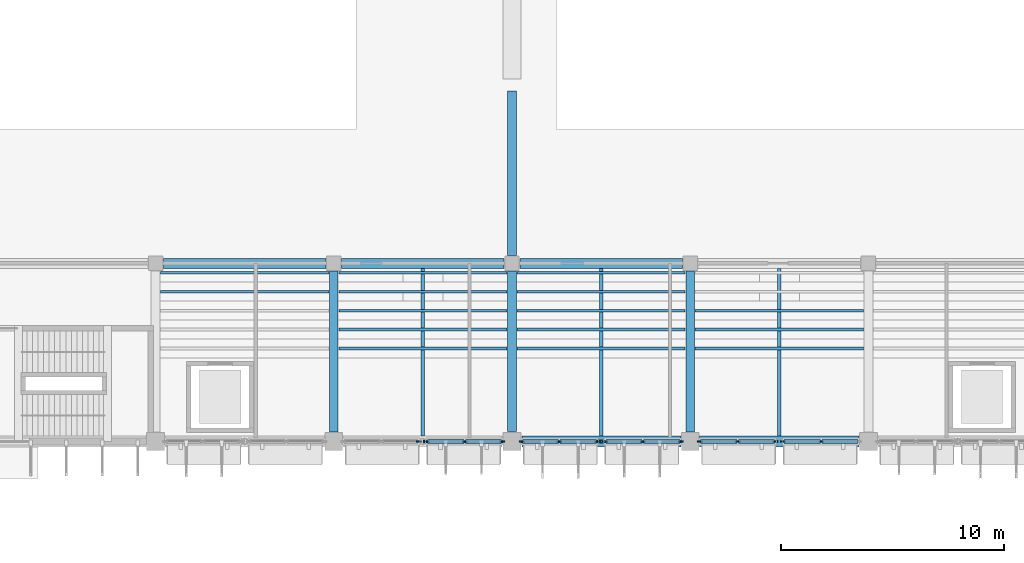
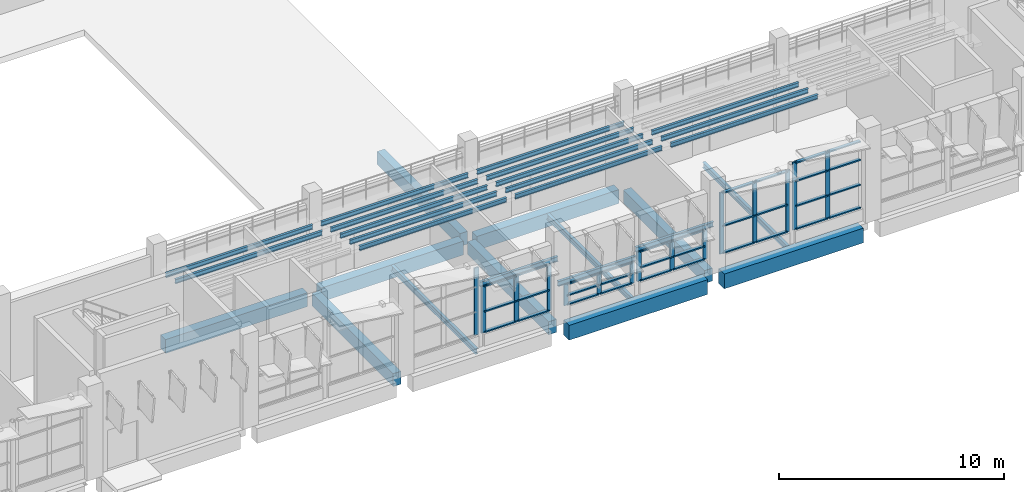
# One storey, part 14 of 103: 47 members, 30 beams, 6 elements without a shape of their own.
"""IFC4 building model written with IfcOpenShell, lengths in metres."""

from ifc_helpers import new_model, si_unit, direction, frame, origin, origin_2d, place, context, subcontext, project, spatial, rectangle, i_section, extrude, material, layer, layer_set, material_profile, profile_set, type_object, element, aggregate, save


model = new_model("IFC4")

# Units and contexts
model_context = context("Model", 3, precision=1e-05, world=origin(), true_north=direction((0.0, 1.0)))
body_context = subcontext(model_context, "Body", "Model", "MODEL_VIEW")
ifc_project = project(units=[si_unit("LENGTHUNIT", "METRE"), si_unit("AREAUNIT", "SQUARE_METRE"), si_unit("VOLUMEUNIT", "CUBIC_METRE"), si_unit("PLANEANGLEUNIT", "RADIAN"), si_unit("MASSUNIT", "GRAM", prefix="KILO")], contexts=[model_context])

# Site, building, storey
site_placement = place(None, origin())
site = spatial("IfcSite", under=ifc_project, at=site_placement, CompositionType="ELEMENT")
building_placement = place(site_placement, origin())
building = spatial("IfcBuilding", under=site, at=building_placement, Name="Drelvana Railside Aquatics Centre", CompositionType="ELEMENT")
storey_placement = place(building_placement, origin())
storey = spatial("IfcBuildingStorey", under=building, at=storey_placement, Name="L00", CompositionType="ELEMENT", Elevation=0.0)

# Curtain wall, member
ifc_material_1 = material(Name="Bronze-anodised aluminium curtain wall", Category="aluminium")
ifc_layer = layer(ifc_material_1, 0.199951171875, Name="Bronze-anodised aluminium curtain wall")
ifc_layer_set = layer_set([ifc_layer], Name="Bronze-anodised aluminium curtain wall")
curtain_wall_type = type_object("IfcCurtainWallType", Name="CW-Z1-SINE", PredefinedType="NOTDEFINED", material=ifc_layer_set)
curtain_wall_1_placement = place(storey_placement, origin())
curtain_wall_1 = element("IfcCurtainWall", 1, at=curtain_wall_1_placement, inside=storey, type_object=curtain_wall_type, Name="Curtain wall CW-01-005", PredefinedType="NOTDEFINED")
ifc_material_2 = material(Name="Bronze-anodised aluminium 6063-T6", Category="aluminium")
ifc_material_profile_1 = material_profile(ifc_material_2, rectangle(XDim=0.074951171875, YDim=0.22509765625, at=origin_2d()), Name="ALU-M 75x225")
ifc_profile_set_1 = profile_set([ifc_material_profile_1], Name="Bronze-anodised aluminium 6063-T6")
member_type_1 = type_object("IfcMemberType", Name="CW-Z1-SINE-MUL", PredefinedType="MULLION", material=ifc_profile_set_1)
member_1_placement = place(storey_placement, frame((43.822509765625, 16.0, 0.64404296875), z_axis=(0.0, 0.0, 1.0), x_axis=(0.0, 1.0, 0.0)))
member_1 = element("IfcMember", 2, at=member_1_placement, type_object=member_type_1, Name="CW-01 mullion 3", PredefinedType="MULLION", context=body_context, shape_type="SweptSolid", body=[
    extrude(rectangle(XDim=0.074951171875, YDim=0.22509765625, at=origin_2d()), origin(), (0.0, 0.0, 1.0), 3.660888671875),
])
aggregate(curtain_wall_1, [member_1])

# Curtain wall, members
curtain_wall_2_placement = place(storey_placement, origin())
curtain_wall_2 = element("IfcCurtainWall", 3, at=curtain_wall_2_placement, inside=storey, type_object=curtain_wall_type, Name="Curtain wall CW-01-006", PredefinedType="NOTDEFINED")
member_2_placement = place(storey_placement, frame((44.177490234375, 16.0, 0.64404296875), z_axis=(0.0, 0.0, 1.0), x_axis=(0.0, 1.0, 0.0)))
member_2 = element("IfcMember", 4, at=member_2_placement, type_object=member_type_1, Name="CW-01 mullion 1", PredefinedType="MULLION", context=body_context, shape_type="SweptSolid", body=[
    extrude(rectangle(XDim=0.074951171875, YDim=0.22509765625, at=origin_2d()), origin(), (0.0, 0.0, 1.0), 2.557861328125),
])
member_3_placement = place(storey_placement, frame((45.873046875, 16.0, 0.64404296875), z_axis=(0.0, 0.0, 1.0), x_axis=(0.0, 1.0, 0.0)))
member_3 = element("IfcMember", 5, at=member_3_placement, type_object=member_type_1, Name="CW-01 mullion 2", PredefinedType="MULLION", context=body_context, shape_type="SweptSolid", body=[
    extrude(rectangle(XDim=0.074951171875, YDim=0.22509765625, at=origin_2d()), origin(), (0.0, 0.0, 1.0), 2.557861328125),
])
member_4_placement = place(storey_placement, frame((47.568603515625, 16.0, 0.64404296875), z_axis=(0.0, 0.0, 1.0), x_axis=(0.0, 1.0, 0.0)))
member_4 = element("IfcMember", 6, at=member_4_placement, type_object=member_type_1, Name="CW-01 mullion 3", PredefinedType="MULLION", context=body_context, shape_type="SweptSolid", body=[
    extrude(rectangle(XDim=0.074951171875, YDim=0.22509765625, at=origin_2d()), origin(), (0.0, 0.0, 1.0), 2.557861328125),
])

curtain_wall_3_placement = place(storey_placement, origin())
curtain_wall_3 = element("IfcCurtainWall", 7, at=curtain_wall_3_placement, inside=storey, type_object=curtain_wall_type, Name="Curtain wall CW-01-007", PredefinedType="NOTDEFINED")
member_5_placement = place(storey_placement, frame((48.431396484375, 16.0, 0.64404296875), z_axis=(0.0, 0.0, 1.0), x_axis=(0.0, 1.0, 0.0)))
member_5 = element("IfcMember", 8, at=member_5_placement, type_object=member_type_1, Name="CW-01 mullion 1", PredefinedType="MULLION", context=body_context, shape_type="SweptSolid", body=[
    extrude(rectangle(XDim=0.074951171875, YDim=0.22509765625, at=origin_2d()), origin(), (0.0, 0.0, 1.0), 1.181884765625),
])
member_6_placement = place(storey_placement, frame((50.126953125, 16.0, 0.64404296875), z_axis=(0.0, 0.0, 1.0), x_axis=(0.0, 1.0, 0.0)))
member_6 = element("IfcMember", 9, at=member_6_placement, type_object=member_type_1, Name="CW-01 mullion 2", PredefinedType="MULLION", context=body_context, shape_type="SweptSolid", body=[
    extrude(rectangle(XDim=0.074951171875, YDim=0.22509765625, at=origin_2d()), origin(), (0.0, 0.0, 1.0), 1.181884765625),
])
member_7_placement = place(storey_placement, frame((51.822509765625, 16.0, 0.64404296875), z_axis=(0.0, 0.0, 1.0), x_axis=(0.0, 1.0, 0.0)))
member_7 = element("IfcMember", 10, at=member_7_placement, type_object=member_type_1, Name="CW-01 mullion 3", PredefinedType="MULLION", context=body_context, shape_type="SweptSolid", body=[
    extrude(rectangle(XDim=0.074951171875, YDim=0.22509765625, at=origin_2d()), origin(), (0.0, 0.0, 1.0), 1.181884765625),
])

curtain_wall_4_placement = place(storey_placement, origin())
curtain_wall_4 = element("IfcCurtainWall", 11, at=curtain_wall_4_placement, inside=storey, type_object=curtain_wall_type, Name="Curtain wall CW-01-008", PredefinedType="NOTDEFINED")
member_8_placement = place(storey_placement, frame((52.177490234375, 16.0, 0.64404296875), z_axis=(0.0, 0.0, 1.0), x_axis=(0.0, 1.0, 0.0)))
member_8 = element("IfcMember", 12, at=member_8_placement, type_object=member_type_1, Name="CW-01 mullion 1", PredefinedType="MULLION", context=body_context, shape_type="SweptSolid", body=[
    extrude(rectangle(XDim=0.074951171875, YDim=0.22509765625, at=origin_2d()), origin(), (0.0, 0.0, 1.0), 1.635009765625),
])
member_9_placement = place(storey_placement, frame((53.873046875, 16.0, 0.64404296875), z_axis=(0.0, 0.0, 1.0), x_axis=(0.0, 1.0, 0.0)))
member_9 = element("IfcMember", 13, at=member_9_placement, type_object=member_type_1, Name="CW-01 mullion 2", PredefinedType="MULLION", context=body_context, shape_type="SweptSolid", body=[
    extrude(rectangle(XDim=0.074951171875, YDim=0.22509765625, at=origin_2d()), origin(), (0.0, 0.0, 1.0), 1.635009765625),
])
member_10_placement = place(storey_placement, frame((55.568603515625, 16.0, 0.64404296875), z_axis=(0.0, 0.0, 1.0), x_axis=(0.0, 1.0, 0.0)))
member_10 = element("IfcMember", 14, at=member_10_placement, type_object=member_type_1, Name="CW-01 mullion 3", PredefinedType="MULLION", context=body_context, shape_type="SweptSolid", body=[
    extrude(rectangle(XDim=0.074951171875, YDim=0.22509765625, at=origin_2d()), origin(), (0.0, 0.0, 1.0), 1.635009765625),
])

curtain_wall_5_placement = place(storey_placement, origin())
curtain_wall_5 = element("IfcCurtainWall", 15, at=curtain_wall_5_placement, inside=storey, type_object=curtain_wall_type, Name="Curtain wall CW-01-009", PredefinedType="NOTDEFINED")
member_11_placement = place(storey_placement, frame((56.431396484375, 16.0, 0.64404296875), z_axis=(0.0, 0.0, 1.0), x_axis=(0.0, 1.0, 0.0)))
member_11 = element("IfcMember", 16, at=member_11_placement, type_object=member_type_1, Name="CW-01 mullion 1", PredefinedType="MULLION", context=body_context, shape_type="SweptSolid", body=[
    extrude(rectangle(XDim=0.074951171875, YDim=0.22509765625, at=origin_2d()), origin(), (0.0, 0.0, 1.0), 3.3369140625),
])
member_12_placement = place(storey_placement, frame((58.126953125, 16.0, 0.64404296875), z_axis=(0.0, 0.0, 1.0), x_axis=(0.0, 1.0, 0.0)))
member_12 = element("IfcMember", 17, at=member_12_placement, type_object=member_type_1, Name="CW-01 mullion 2", PredefinedType="MULLION", context=body_context, shape_type="SweptSolid", body=[
    extrude(rectangle(XDim=0.074951171875, YDim=0.22509765625, at=origin_2d()), origin(), (0.0, 0.0, 1.0), 3.3369140625),
])
member_13_placement = place(storey_placement, frame((59.822509765625, 16.0, 0.64404296875), z_axis=(0.0, 0.0, 1.0), x_axis=(0.0, 1.0, 0.0)))
member_13 = element("IfcMember", 18, at=member_13_placement, type_object=member_type_1, Name="CW-01 mullion 3", PredefinedType="MULLION", context=body_context, shape_type="SweptSolid", body=[
    extrude(rectangle(XDim=0.074951171875, YDim=0.22509765625, at=origin_2d()), origin(), (0.0, 0.0, 1.0), 3.3369140625),
])

curtain_wall_6_placement = place(storey_placement, origin())
curtain_wall_6 = element("IfcCurtainWall", 19, at=curtain_wall_6_placement, inside=storey, type_object=curtain_wall_type, Name="Curtain wall CW-01-010", PredefinedType="NOTDEFINED")
member_14_placement = place(storey_placement, frame((60.177490234375, 16.0, 0.64404296875), z_axis=(0.0, 0.0, 1.0), x_axis=(0.0, 1.0, 0.0)))
member_14 = element("IfcMember", 20, at=member_14_placement, type_object=member_type_1, Name="CW-01 mullion 1", PredefinedType="MULLION", context=body_context, shape_type="SweptSolid", body=[
    extrude(rectangle(XDim=0.074951171875, YDim=0.22509765625, at=origin_2d()), origin(), (0.0, 0.0, 1.0), 3.660888671875),
])
member_15_placement = place(storey_placement, frame((61.873046875, 16.0, 0.64404296875), z_axis=(0.0, 0.0, 1.0), x_axis=(0.0, 1.0, 0.0)))
member_15 = element("IfcMember", 21, at=member_15_placement, type_object=member_type_1, Name="CW-01 mullion 2", PredefinedType="MULLION", context=body_context, shape_type="SweptSolid", body=[
    extrude(rectangle(XDim=0.074951171875, YDim=0.22509765625, at=origin_2d()), origin(), (0.0, 0.0, 1.0), 3.660888671875),
])

# Member
ifc_material_profile_2 = material_profile(ifc_material_2, rectangle(XDim=0.159912109375, YDim=0.070068359375, at=origin_2d()), Name="ALU-T 70x160")
ifc_profile_set_2 = profile_set([ifc_material_profile_2], Name="Bronze-anodised aluminium 6063-T6")
member_type_2 = type_object("IfcMemberType", Name="CW-Z1-SINE-TRN", PredefinedType="USERDEFINED", material=ifc_profile_set_2)
member_16_placement = place(storey_placement, frame((44.2099609375, 16.0, 0.678955078125), z_axis=(1.0, 0.0, 0.0), x_axis=(0.0, 1.0, 0.0)))
member_16 = element("IfcMember", 22, at=member_16_placement, type_object=member_type_2, Name="CW-01 transom 1.1", ObjectType="TRANSOM", PredefinedType="USERDEFINED", context=body_context, shape_type="SweptSolid", body=[
    extrude(rectangle(XDim=0.159912109375, YDim=0.070068359375, at=origin_2d()), origin(), (0.0, 0.0, 1.0), 1.630615234375),
])

member_17_placement = place(storey_placement, frame((44.2099609375, 16.0, 1.794921875), z_axis=(1.0, 0.0, 0.0), x_axis=(0.0, 1.0, 0.0)))
member_17 = element("IfcMember", 23, at=member_17_placement, type_object=member_type_2, Name="CW-01 transom 1.2", ObjectType="TRANSOM", PredefinedType="USERDEFINED", context=body_context, shape_type="SweptSolid", body=[
    extrude(rectangle(XDim=0.159912109375, YDim=0.070068359375, at=origin_2d()), origin(), (0.0, 0.0, 1.0), 1.630615234375),
])

member_18_placement = place(storey_placement, frame((44.2099609375, 16.0, 3.1669921875), z_axis=(1.0, 0.0, 0.0), x_axis=(0.0, 1.0, 0.0)))
member_18 = element("IfcMember", 24, at=member_18_placement, type_object=member_type_2, Name="CW-01 transom 1.3", ObjectType="TRANSOM", PredefinedType="USERDEFINED", context=body_context, shape_type="SweptSolid", body=[
    extrude(rectangle(XDim=0.159912109375, YDim=0.070068359375, at=origin_2d()), origin(), (0.0, 0.0, 1.0), 1.630615234375),
])

member_19_placement = place(storey_placement, frame((45.905517578125, 16.0, 0.678955078125), z_axis=(1.0, 0.0, 0.0), x_axis=(0.0, 1.0, 0.0)))
member_19 = element("IfcMember", 25, at=member_19_placement, type_object=member_type_2, Name="CW-01 transom 2.1", ObjectType="TRANSOM", PredefinedType="USERDEFINED", context=body_context, shape_type="SweptSolid", body=[
    extrude(rectangle(XDim=0.159912109375, YDim=0.070068359375, at=origin_2d()), origin(), (0.0, 0.0, 1.0), 1.63037109375),
])

member_20_placement = place(storey_placement, frame((45.905517578125, 16.0, 1.794921875), z_axis=(1.0, 0.0, 0.0), x_axis=(0.0, 1.0, 0.0)))
member_20 = element("IfcMember", 26, at=member_20_placement, type_object=member_type_2, Name="CW-01 transom 2.2", ObjectType="TRANSOM", PredefinedType="USERDEFINED", context=body_context, shape_type="SweptSolid", body=[
    extrude(rectangle(XDim=0.159912109375, YDim=0.070068359375, at=origin_2d()), origin(), (0.0, 0.0, 1.0), 1.63037109375),
])

member_21_placement = place(storey_placement, frame((45.905517578125, 16.0, 3.1669921875), z_axis=(1.0, 0.0, 0.0), x_axis=(0.0, 1.0, 0.0)))
member_21 = element("IfcMember", 27, at=member_21_placement, type_object=member_type_2, Name="CW-01 transom 2.3", ObjectType="TRANSOM", PredefinedType="USERDEFINED", context=body_context, shape_type="SweptSolid", body=[
    extrude(rectangle(XDim=0.159912109375, YDim=0.070068359375, at=origin_2d()), origin(), (0.0, 0.0, 1.0), 1.63037109375),
])

aggregate(curtain_wall_2, [member_2, member_3, member_4, member_16, member_17, member_18, member_19, member_20, member_21])

member_22_placement = place(storey_placement, frame((48.464111328125, 16.0, 0.678955078125), z_axis=(1.0, 0.0, 0.0), x_axis=(0.0, 1.0, 0.0)))
member_22 = element("IfcMember", 28, at=member_22_placement, type_object=member_type_2, Name="CW-01 transom 1.1", ObjectType="TRANSOM", PredefinedType="USERDEFINED", context=body_context, shape_type="SweptSolid", body=[
    extrude(rectangle(XDim=0.159912109375, YDim=0.070068359375, at=origin_2d()), origin(), (0.0, 0.0, 1.0), 1.63037109375),
])

member_23_placement = place(storey_placement, frame((48.464111328125, 16.0, 1.176025390625), z_axis=(1.0, 0.0, 0.0), x_axis=(0.0, 1.0, 0.0)))
member_23 = element("IfcMember", 29, at=member_23_placement, type_object=member_type_2, Name="CW-01 transom 1.2", ObjectType="TRANSOM", PredefinedType="USERDEFINED", context=body_context, shape_type="SweptSolid", body=[
    extrude(rectangle(XDim=0.159912109375, YDim=0.070068359375, at=origin_2d()), origin(), (0.0, 0.0, 1.0), 1.63037109375),
])

member_24_placement = place(storey_placement, frame((48.464111328125, 16.0, 1.791015625), z_axis=(1.0, 0.0, 0.0), x_axis=(0.0, 1.0, 0.0)))
member_24 = element("IfcMember", 30, at=member_24_placement, type_object=member_type_2, Name="CW-01 transom 1.3", ObjectType="TRANSOM", PredefinedType="USERDEFINED", context=body_context, shape_type="SweptSolid", body=[
    extrude(rectangle(XDim=0.159912109375, YDim=0.070068359375, at=origin_2d()), origin(), (0.0, 0.0, 1.0), 1.63037109375),
])

member_25_placement = place(storey_placement, frame((50.159423828125, 16.0, 0.678955078125), z_axis=(1.0, 0.0, 0.0), x_axis=(0.0, 1.0, 0.0)))
member_25 = element("IfcMember", 31, at=member_25_placement, type_object=member_type_2, Name="CW-01 transom 2.1", ObjectType="TRANSOM", PredefinedType="USERDEFINED", context=body_context, shape_type="SweptSolid", body=[
    extrude(rectangle(XDim=0.159912109375, YDim=0.070068359375, at=origin_2d()), origin(), (0.0, 0.0, 1.0), 1.630615234375),
])

member_26_placement = place(storey_placement, frame((50.159423828125, 16.0, 1.176025390625), z_axis=(1.0, 0.0, 0.0), x_axis=(0.0, 1.0, 0.0)))
member_26 = element("IfcMember", 32, at=member_26_placement, type_object=member_type_2, Name="CW-01 transom 2.2", ObjectType="TRANSOM", PredefinedType="USERDEFINED", context=body_context, shape_type="SweptSolid", body=[
    extrude(rectangle(XDim=0.159912109375, YDim=0.070068359375, at=origin_2d()), origin(), (0.0, 0.0, 1.0), 1.630615234375),
])

member_27_placement = place(storey_placement, frame((50.159423828125, 16.0, 1.791015625), z_axis=(1.0, 0.0, 0.0), x_axis=(0.0, 1.0, 0.0)))
member_27 = element("IfcMember", 33, at=member_27_placement, type_object=member_type_2, Name="CW-01 transom 2.3", ObjectType="TRANSOM", PredefinedType="USERDEFINED", context=body_context, shape_type="SweptSolid", body=[
    extrude(rectangle(XDim=0.159912109375, YDim=0.070068359375, at=origin_2d()), origin(), (0.0, 0.0, 1.0), 1.630615234375),
])

aggregate(curtain_wall_3, [member_5, member_6, member_7, member_22, member_23, member_24, member_25, member_26, member_27])

member_28_placement = place(storey_placement, frame((52.2099609375, 16.0, 0.678955078125), z_axis=(1.0, 0.0, 0.0), x_axis=(0.0, 1.0, 0.0)))
member_28 = element("IfcMember", 34, at=member_28_placement, type_object=member_type_2, Name="CW-01 transom 1.1", ObjectType="TRANSOM", PredefinedType="USERDEFINED", context=body_context, shape_type="SweptSolid", body=[
    extrude(rectangle(XDim=0.159912109375, YDim=0.070068359375, at=origin_2d()), origin(), (0.0, 0.0, 1.0), 1.630615234375),
])

member_29_placement = place(storey_placement, frame((52.2099609375, 16.0, 1.3798828125), z_axis=(1.0, 0.0, 0.0), x_axis=(0.0, 1.0, 0.0)))
member_29 = element("IfcMember", 35, at=member_29_placement, type_object=member_type_2, Name="CW-01 transom 1.2", ObjectType="TRANSOM", PredefinedType="USERDEFINED", context=body_context, shape_type="SweptSolid", body=[
    extrude(rectangle(XDim=0.159912109375, YDim=0.070068359375, at=origin_2d()), origin(), (0.0, 0.0, 1.0), 1.630615234375),
])

member_30_placement = place(storey_placement, frame((52.2099609375, 16.0, 2.243896484375), z_axis=(1.0, 0.0, 0.0), x_axis=(0.0, 1.0, 0.0)))
member_30 = element("IfcMember", 36, at=member_30_placement, type_object=member_type_2, Name="CW-01 transom 1.3", ObjectType="TRANSOM", PredefinedType="USERDEFINED", context=body_context, shape_type="SweptSolid", body=[
    extrude(rectangle(XDim=0.159912109375, YDim=0.070068359375, at=origin_2d()), origin(), (0.0, 0.0, 1.0), 1.630615234375),
])

member_31_placement = place(storey_placement, frame((53.905517578125, 16.0, 0.678955078125), z_axis=(1.0, 0.0, 0.0), x_axis=(0.0, 1.0, 0.0)))
member_31 = element("IfcMember", 37, at=member_31_placement, type_object=member_type_2, Name="CW-01 transom 2.1", ObjectType="TRANSOM", PredefinedType="USERDEFINED", context=body_context, shape_type="SweptSolid", body=[
    extrude(rectangle(XDim=0.159912109375, YDim=0.070068359375, at=origin_2d()), origin(), (0.0, 0.0, 1.0), 1.63037109375),
])

member_32_placement = place(storey_placement, frame((53.905517578125, 16.0, 1.3798828125), z_axis=(1.0, 0.0, 0.0), x_axis=(0.0, 1.0, 0.0)))
member_32 = element("IfcMember", 38, at=member_32_placement, type_object=member_type_2, Name="CW-01 transom 2.2", ObjectType="TRANSOM", PredefinedType="USERDEFINED", context=body_context, shape_type="SweptSolid", body=[
    extrude(rectangle(XDim=0.159912109375, YDim=0.070068359375, at=origin_2d()), origin(), (0.0, 0.0, 1.0), 1.63037109375),
])

member_33_placement = place(storey_placement, frame((53.905517578125, 16.0, 2.243896484375), z_axis=(1.0, 0.0, 0.0), x_axis=(0.0, 1.0, 0.0)))
member_33 = element("IfcMember", 39, at=member_33_placement, type_object=member_type_2, Name="CW-01 transom 2.3", ObjectType="TRANSOM", PredefinedType="USERDEFINED", context=body_context, shape_type="SweptSolid", body=[
    extrude(rectangle(XDim=0.159912109375, YDim=0.070068359375, at=origin_2d()), origin(), (0.0, 0.0, 1.0), 1.63037109375),
])

aggregate(curtain_wall_4, [member_8, member_9, member_10, member_28, member_29, member_30, member_31, member_32, member_33])

member_34_placement = place(storey_placement, frame((56.464111328125, 16.0, 0.678955078125), z_axis=(1.0, 0.0, 0.0), x_axis=(0.0, 1.0, 0.0)))
member_34 = element("IfcMember", 40, at=member_34_placement, type_object=member_type_2, Name="CW-01 transom 1.1", ObjectType="TRANSOM", PredefinedType="USERDEFINED", context=body_context, shape_type="SweptSolid", body=[
    extrude(rectangle(XDim=0.159912109375, YDim=0.070068359375, at=origin_2d()), origin(), (0.0, 0.0, 1.0), 1.63037109375),
])

member_35_placement = place(storey_placement, frame((56.464111328125, 16.0, 2.14599609375), z_axis=(1.0, 0.0, 0.0), x_axis=(0.0, 1.0, 0.0)))
member_35 = element("IfcMember", 41, at=member_35_placement, type_object=member_type_2, Name="CW-01 transom 1.2", ObjectType="TRANSOM", PredefinedType="USERDEFINED", context=body_context, shape_type="SweptSolid", body=[
    extrude(rectangle(XDim=0.159912109375, YDim=0.070068359375, at=origin_2d()), origin(), (0.0, 0.0, 1.0), 1.63037109375),
])

member_36_placement = place(storey_placement, frame((56.464111328125, 16.0, 3.946044921875), z_axis=(1.0, 0.0, 0.0), x_axis=(0.0, 1.0, 0.0)))
member_36 = element("IfcMember", 42, at=member_36_placement, type_object=member_type_2, Name="CW-01 transom 1.3", ObjectType="TRANSOM", PredefinedType="USERDEFINED", context=body_context, shape_type="SweptSolid", body=[
    extrude(rectangle(XDim=0.159912109375, YDim=0.070068359375, at=origin_2d()), origin(), (0.0, 0.0, 1.0), 1.63037109375),
])

member_37_placement = place(storey_placement, frame((58.159423828125, 16.0, 0.678955078125), z_axis=(1.0, 0.0, 0.0), x_axis=(0.0, 1.0, 0.0)))
member_37 = element("IfcMember", 43, at=member_37_placement, type_object=member_type_2, Name="CW-01 transom 2.1", ObjectType="TRANSOM", PredefinedType="USERDEFINED", context=body_context, shape_type="SweptSolid", body=[
    extrude(rectangle(XDim=0.159912109375, YDim=0.070068359375, at=origin_2d()), origin(), (0.0, 0.0, 1.0), 1.630615234375),
])

member_38_placement = place(storey_placement, frame((58.159423828125, 16.0, 2.14599609375), z_axis=(1.0, 0.0, 0.0), x_axis=(0.0, 1.0, 0.0)))
member_38 = element("IfcMember", 44, at=member_38_placement, type_object=member_type_2, Name="CW-01 transom 2.2", ObjectType="TRANSOM", PredefinedType="USERDEFINED", context=body_context, shape_type="SweptSolid", body=[
    extrude(rectangle(XDim=0.159912109375, YDim=0.070068359375, at=origin_2d()), origin(), (0.0, 0.0, 1.0), 1.630615234375),
])

member_39_placement = place(storey_placement, frame((58.159423828125, 16.0, 3.946044921875), z_axis=(1.0, 0.0, 0.0), x_axis=(0.0, 1.0, 0.0)))
member_39 = element("IfcMember", 45, at=member_39_placement, type_object=member_type_2, Name="CW-01 transom 2.3", ObjectType="TRANSOM", PredefinedType="USERDEFINED", context=body_context, shape_type="SweptSolid", body=[
    extrude(rectangle(XDim=0.159912109375, YDim=0.070068359375, at=origin_2d()), origin(), (0.0, 0.0, 1.0), 1.630615234375),
])

aggregate(curtain_wall_5, [member_11, member_12, member_13, member_34, member_35, member_36, member_37, member_38, member_39])

member_40_placement = place(storey_placement, frame((60.2099609375, 16.0, 0.678955078125), z_axis=(1.0, 0.0, 0.0), x_axis=(0.0, 1.0, 0.0)))
member_40 = element("IfcMember", 46, at=member_40_placement, type_object=member_type_2, Name="CW-01 transom 1.1", ObjectType="TRANSOM", PredefinedType="USERDEFINED", context=body_context, shape_type="SweptSolid", body=[
    extrude(rectangle(XDim=0.159912109375, YDim=0.070068359375, at=origin_2d()), origin(), (0.0, 0.0, 1.0), 1.630615234375),
])

member_41_placement = place(storey_placement, frame((60.2099609375, 16.0, 1.925048828125), z_axis=(1.0, 0.0, 0.0), x_axis=(0.0, 1.0, 0.0)))
member_41 = element("IfcMember", 47, at=member_41_placement, type_object=member_type_2, Name="CW-01 transom 1.2", ObjectType="TRANSOM", PredefinedType="USERDEFINED", context=body_context, shape_type="SweptSolid", body=[
    extrude(rectangle(XDim=0.159912109375, YDim=0.070068359375, at=origin_2d()), origin(), (0.0, 0.0, 1.0), 1.630615234375),
])

member_42_placement = place(storey_placement, frame((60.2099609375, 16.0, 3.280029296875), z_axis=(1.0, 0.0, 0.0), x_axis=(0.0, 1.0, 0.0)))
member_42 = element("IfcMember", 48, at=member_42_placement, type_object=member_type_2, Name="CW-01 transom 1.3", ObjectType="TRANSOM", PredefinedType="USERDEFINED", context=body_context, shape_type="SweptSolid", body=[
    extrude(rectangle(XDim=0.159912109375, YDim=0.070068359375, at=origin_2d()), origin(), (0.0, 0.0, 1.0), 1.630615234375),
])

member_43_placement = place(storey_placement, frame((60.2099609375, 16.0, 4.27001953125), z_axis=(1.0, 0.0, 0.0), x_axis=(0.0, 1.0, 0.0)))
member_43 = element("IfcMember", 49, at=member_43_placement, type_object=member_type_2, Name="CW-01 transom 1.4", ObjectType="TRANSOM", PredefinedType="USERDEFINED", context=body_context, shape_type="SweptSolid", body=[
    extrude(rectangle(XDim=0.159912109375, YDim=0.070068359375, at=origin_2d()), origin(), (0.0, 0.0, 1.0), 1.630615234375),
])

member_44_placement = place(storey_placement, frame((61.905517578125, 16.0, 0.678955078125), z_axis=(1.0, 0.0, 0.0), x_axis=(0.0, 1.0, 0.0)))
member_44 = element("IfcMember", 50, at=member_44_placement, type_object=member_type_2, Name="CW-01 transom 2.1", ObjectType="TRANSOM", PredefinedType="USERDEFINED", context=body_context, shape_type="SweptSolid", body=[
    extrude(rectangle(XDim=0.159912109375, YDim=0.070068359375, at=origin_2d()), origin(), (0.0, 0.0, 1.0), 1.63037109375),
])

member_45_placement = place(storey_placement, frame((61.905517578125, 16.0, 1.925048828125), z_axis=(1.0, 0.0, 0.0), x_axis=(0.0, 1.0, 0.0)))
member_45 = element("IfcMember", 51, at=member_45_placement, type_object=member_type_2, Name="CW-01 transom 2.2", ObjectType="TRANSOM", PredefinedType="USERDEFINED", context=body_context, shape_type="SweptSolid", body=[
    extrude(rectangle(XDim=0.159912109375, YDim=0.070068359375, at=origin_2d()), origin(), (0.0, 0.0, 1.0), 1.63037109375),
])

member_46_placement = place(storey_placement, frame((61.905517578125, 16.0, 3.280029296875), z_axis=(1.0, 0.0, 0.0), x_axis=(0.0, 1.0, 0.0)))
member_46 = element("IfcMember", 52, at=member_46_placement, type_object=member_type_2, Name="CW-01 transom 2.3", ObjectType="TRANSOM", PredefinedType="USERDEFINED", context=body_context, shape_type="SweptSolid", body=[
    extrude(rectangle(XDim=0.159912109375, YDim=0.070068359375, at=origin_2d()), origin(), (0.0, 0.0, 1.0), 1.63037109375),
])

member_47_placement = place(storey_placement, frame((61.905517578125, 16.0, 4.27001953125), z_axis=(1.0, 0.0, 0.0), x_axis=(0.0, 1.0, 0.0)))
member_47 = element("IfcMember", 53, at=member_47_placement, type_object=member_type_2, Name="CW-01 transom 2.4", ObjectType="TRANSOM", PredefinedType="USERDEFINED", context=body_context, shape_type="SweptSolid", body=[
    extrude(rectangle(XDim=0.159912109375, YDim=0.070068359375, at=origin_2d()), origin(), (0.0, 0.0, 1.0), 1.63037109375),
])

aggregate(curtain_wall_6, [member_14, member_15, member_40, member_41, member_42, member_43, member_44, member_45, member_46, member_47])

# Beams
ifc_material_3 = material(Name="Concrete C40/50", Category="concrete")
ifc_material_profile_3 = material_profile(ifc_material_3, rectangle(XDim=0.39990234375, YDim=0.699951171875, at=origin_2d()), Name="RC 400x700")
ifc_profile_set_3 = profile_set([ifc_material_profile_3], Name="Concrete C40/50")
beam_type_1 = type_object("IfcBeamType", Name="STR-BM-BM-03-RC-400x700", PredefinedType="BEAM", material=ifc_profile_set_3)
beam_1_placement = place(storey_placement, frame((40.0, 16.425048828125, -0.679931640625), z_axis=(0.0, 1.0, 0.0), x_axis=(-1.0, 0.0, 0.0)))
element("IfcBeam", 54, at=beam_1_placement, inside=storey, type_object=beam_type_1, Name="Girder BM-03 (L00)", PredefinedType="BEAM", context=body_context, shape_type="SweptSolid", body=[
    extrude(rectangle(XDim=0.39990234375, YDim=0.699951171875, at=origin_2d()), origin(), (0.0, 0.0, 1.0), 7.224853515625),
])
beam_2_placement = place(storey_placement, frame((48.0, 16.449951171875, -0.679931640625), z_axis=(0.0, 1.0, 0.0), x_axis=(-1.0, 0.0, 0.0)))
element("IfcBeam", 55, at=beam_2_placement, inside=storey, type_object=beam_type_1, Name="Girder BM-03 (L00)", PredefinedType="BEAM", context=body_context, shape_type="SweptSolid", body=[
    extrude(rectangle(XDim=0.39990234375, YDim=0.699951171875, at=origin_2d()), origin(), (0.0, 0.0, 1.0), 7.199951171875),
])
beam_3_placement = place(storey_placement, frame((48.0, 24.35009765625, -0.679931640625), z_axis=(0.0, 1.0, 0.0), x_axis=(-1.0, 0.0, 0.0)))
element("IfcBeam", 56, at=beam_3_placement, inside=storey, type_object=beam_type_1, Name="Girder BM-03 (L00)", PredefinedType="BEAM", context=body_context, shape_type="SweptSolid", body=[
    extrude(rectangle(XDim=0.39990234375, YDim=0.699951171875, at=origin_2d()), origin(), (0.0, 0.0, 1.0), 7.375),
])
beam_4_placement = place(storey_placement, frame((56.0, 16.425048828125, -0.679931640625), z_axis=(0.0, 1.0, 0.0), x_axis=(-1.0, 0.0, 0.0)))
element("IfcBeam", 57, at=beam_4_placement, inside=storey, type_object=beam_type_1, Name="Girder BM-03 (L00)", PredefinedType="BEAM", context=body_context, shape_type="SweptSolid", body=[
    extrude(rectangle(XDim=0.39990234375, YDim=0.699951171875, at=origin_2d()), origin(), (0.0, 0.0, 1.0), 7.224853515625),
])
ifc_material_profile_4 = material_profile(ifc_material_3, rectangle(XDim=0.449951171875, YDim=0.75, at=origin_2d()), Name="RC 450x750")
ifc_profile_set_4 = profile_set([ifc_material_profile_4], Name="Concrete C40/50")
beam_type_2 = type_object("IfcBeamType", Name="STR-BM-BM-04-RC-450x750", PredefinedType="BEAM", material=ifc_profile_set_4)
for number, where, z_axis, x_axis, name in (
    (58, (32.35009765625, 24.0, -0.705078125), (1.0, 0.0, 0.0), (0.0, 1.0, 0.0), "Girder BM-04 (L00)"),
    (59, (40.35009765625, 24.0, -0.705078125), (1.0, 0.0, 0.0), (0.0, 1.0, 0.0), "Girder BM-04 (L00)"),
    (60, (48.35009765625, 24.0, -0.705078125), (1.0, 0.0, 0.0), (0.0, 1.0, 0.0), "Girder BM-04 (L00)"),
):
    element("IfcBeam", number, at=place(storey_placement, frame(where, z_axis=z_axis, x_axis=x_axis)), inside=storey, type_object=beam_type_2, Name=name, PredefinedType="BEAM", context=body_context, shape_type="SweptSolid", body=[
        extrude(rectangle(XDim=0.449951171875, YDim=0.75, at=origin_2d()), origin(), (0.0, 0.0, 1.0), 7.2998046875),
    ])
ifc_material_profile_5 = material_profile(ifc_material_3, rectangle(XDim=0.5, YDim=0.800048828125, at=origin_2d()), Name="RC 500x800")
ifc_profile_set_5 = profile_set([ifc_material_profile_5], Name="Concrete C40/50")
beam_type_3 = type_object("IfcBeamType", Name="STR-BM-BM-06-RC-500x800", PredefinedType="SPANDREL", material=ifc_profile_set_5)
beam_5_placement = place(storey_placement, frame((48.449951171875, 16.0, -0.72998046875), z_axis=(1.0, 0.0, 0.0), x_axis=(0.0, 1.0, 0.0)))
element("IfcBeam", 61, at=beam_5_placement, inside=storey, type_object=beam_type_3, Name="Girder BM-06 (L00)", PredefinedType="SPANDREL", context=body_context, shape_type="SweptSolid", body=[
    extrude(rectangle(XDim=0.5, YDim=0.800048828125, at=origin_2d()), origin(), (0.0, 0.0, 1.0), 7.125),
])
beam_6_placement = place(storey_placement, frame((56.425048828125, 16.0, -0.72998046875), z_axis=(1.0, 0.0, 0.0), x_axis=(0.0, 1.0, 0.0)))
element("IfcBeam", 62, at=beam_6_placement, inside=storey, type_object=beam_type_3, Name="Girder BM-06 (L00)", PredefinedType="SPANDREL", context=body_context, shape_type="SweptSolid", body=[
    extrude(rectangle(XDim=0.5, YDim=0.800048828125, at=origin_2d()), origin(), (0.0, 0.0, 1.0), 7.14990234375),
])
ifc_material_4 = material(Name="Structural steel S355", Category="steel")
ifc_material_profile_6 = material_profile(ifc_material_4, i_section(OverallWidth=0.1201171875, OverallDepth=0.239990234375, WebThickness=0.006103515625, FlangeThickness=0.009765625, at=origin_2d()), Name="IPE 240")
ifc_profile_set_6 = profile_set([ifc_material_profile_6], Name="Structural steel S355")
beam_type_4 = type_object("IfcBeamType", Name="STR-SBM-SJ-01-IPE-240", PredefinedType="JOIST", material=ifc_profile_set_6)
for number, where, z_axis, x_axis, name in (
    (63, (32.22509765625, 23.574951171875, 3.346923828125), (1.0, 0.0, 0.0), (0.0, 1.0, 0.0), "Lower stand tier bearer S1.R1"),
    (64, (32.22509765625, 22.72509765625, 3.53076171875), (1.0, 0.0, 0.0), (0.0, 1.0, 0.0), "Lower stand tier bearer S1.R2"),
    (65, (40.22509765625, 23.574951171875, 3.346923828125), (1.0, 0.0, 0.0), (0.0, 1.0, 0.0), "Lower stand tier bearer S2.R1"),
    (66, (40.22509765625, 22.72509765625, 3.53076171875), (1.0, 0.0, 0.0), (0.0, 1.0, 0.0), "Lower stand tier bearer S2.R2"),
    (67, (40.22509765625, 21.875, 3.714599609375), (1.0, 0.0, 0.0), (0.0, 1.0, 0.0), "Lower stand tier bearer S2.R3"),
    (68, (40.22509765625, 21.02490234375, 3.898193359375), (1.0, 0.0, 0.0), (0.0, 1.0, 0.0), "Lower stand tier bearer S2.R4"),
    (69, (40.22509765625, 20.175048828125, 4.082275390625), (1.0, 0.0, 0.0), (0.0, 1.0, 0.0), "Lower stand tier bearer S2.R5"),
    (70, (48.22509765625, 23.574951171875, 3.346923828125), (1.0, 0.0, 0.0), (0.0, 1.0, 0.0), "Lower stand tier bearer S3.R1"),
    (71, (48.22509765625, 22.72509765625, 3.53076171875), (1.0, 0.0, 0.0), (0.0, 1.0, 0.0), "Lower stand tier bearer S3.R2"),
    (72, (48.22509765625, 21.875, 3.714599609375), (1.0, 0.0, 0.0), (0.0, 1.0, 0.0), "Lower stand tier bearer S3.R3"),
    (73, (48.22509765625, 21.02490234375, 3.898193359375), (1.0, 0.0, 0.0), (0.0, 1.0, 0.0), "Lower stand tier bearer S3.R4"),
    (74, (48.22509765625, 20.175048828125, 4.082275390625), (1.0, 0.0, 0.0), (0.0, 1.0, 0.0), "Lower stand tier bearer S3.R5"),
    (75, (56.22509765625, 21.875, 3.714599609375), (1.0, 0.0, 0.0), (0.0, 1.0, 0.0), "Lower stand tier bearer S4.R3"),
    (76, (56.22509765625, 21.02490234375, 3.898193359375), (1.0, 0.0, 0.0), (0.0, 1.0, 0.0), "Lower stand tier bearer S4.R4"),
    (77, (56.22509765625, 20.175048828125, 4.082275390625), (1.0, 0.0, 0.0), (0.0, 1.0, 0.0), "Lower stand tier bearer S4.R5"),
):
    element("IfcBeam", number, at=place(storey_placement, frame(where, z_axis=z_axis, x_axis=x_axis)), inside=storey, type_object=beam_type_4, Name=name, PredefinedType="JOIST", context=body_context, shape_type="SweptSolid", body=[
        extrude(i_section(OverallWidth=0.1201171875, OverallDepth=0.239990234375, WebThickness=0.006103515625, FlangeThickness=0.009765625, at=origin_2d()), origin(), (0.0, 0.0, 1.0), 7.5498046875),
    ])
ifc_material_profile_7 = material_profile(ifc_material_4, i_section(OverallWidth=0.135009765625, OverallDepth=0.27001953125, WebThickness=0.006591796875, FlangeThickness=0.01025390625, at=origin_2d()), Name="IPE 270")
ifc_profile_set_7 = profile_set([ifc_material_profile_7], Name="Structural steel S355")
beam_type_5 = type_object("IfcBeamType", Name="STR-SBM-SJ-02-IPE-270", PredefinedType="JOIST", material=ifc_profile_set_7)
for number, where, z_axis, x_axis, name in (
    (78, (44.0, 16.0, 3.3369140625), (1.0, 0.0, 0.0), (0.0, 1.0, 0.0), "Sine-wave spandrel lintel beam V1S-4.2"),
    (79, (48.0, 16.0, 1.9609375), (1.0, 0.0, 0.0), (0.0, 1.0, 0.0), "Sine-wave spandrel lintel beam V1S-5.1"),
    (80, (52.0, 16.0, 2.4140625), (1.0, 0.0, 0.0), (0.0, 1.0, 0.0), "Sine-wave spandrel lintel beam V1S-5.2"),
):
    element("IfcBeam", number, at=place(storey_placement, frame(where, z_axis=z_axis, x_axis=x_axis)), inside=storey, type_object=beam_type_5, Name=name, PredefinedType="JOIST", context=body_context, shape_type="SweptSolid", body=[
        extrude(i_section(OverallWidth=0.135009765625, OverallDepth=0.27001953125, WebThickness=0.006591796875, FlangeThickness=0.01025390625, at=origin_2d()), origin(), (0.0, 0.0, 1.0), 4.0),
    ])
ifc_material_profile_8 = material_profile(ifc_material_4, i_section(OverallWidth=0.14990234375, OverallDepth=0.300048828125, WebThickness=0.007080078125, FlangeThickness=0.0107421875, at=origin_2d()), Name="IPE 300")
ifc_profile_set_8 = profile_set([ifc_material_profile_8], Name="Structural steel S355")
beam_type_6 = type_object("IfcBeamType", Name="STR-SBM-SJ-03-IPE-300", PredefinedType="JOIST", material=ifc_profile_set_8)
for number, where, z_axis, x_axis, name in (
    (81, (44.0, 16.25, -0.47998046875), (0.0, 1.0, 0.0), (-1.0, 0.0, 0.0), "Secondary floor joist SJ-03 (L00)"),
    (82, (52.0, 16.25, -0.47998046875), (0.0, 1.0, 0.0), (-1.0, 0.0, 0.0), "Secondary floor joist SJ-03 (L00)"),
    (83, (60.0, 16.25, -0.47998046875), (0.0, 1.0, 0.0), (-1.0, 0.0, 0.0), "Secondary floor joist SJ-03 (L00)"),
):
    element("IfcBeam", number, at=place(storey_placement, frame(where, z_axis=z_axis, x_axis=x_axis)), inside=storey, type_object=beam_type_6, Name=name, PredefinedType="JOIST", context=body_context, shape_type="SweptSolid", body=[
        extrude(i_section(OverallWidth=0.14990234375, OverallDepth=0.300048828125, WebThickness=0.007080078125, FlangeThickness=0.0107421875, at=origin_2d()), origin(), (0.0, 0.0, 1.0), 7.52490234375),
    ])

save(model, "model.ifc")
